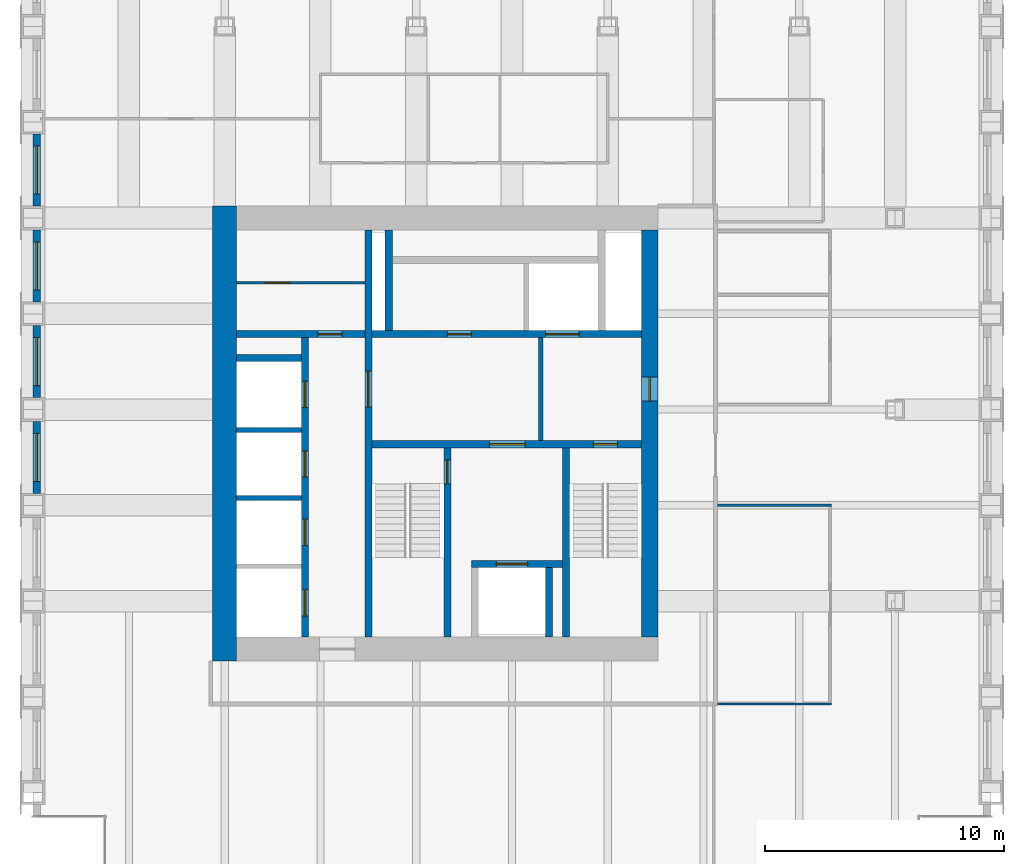
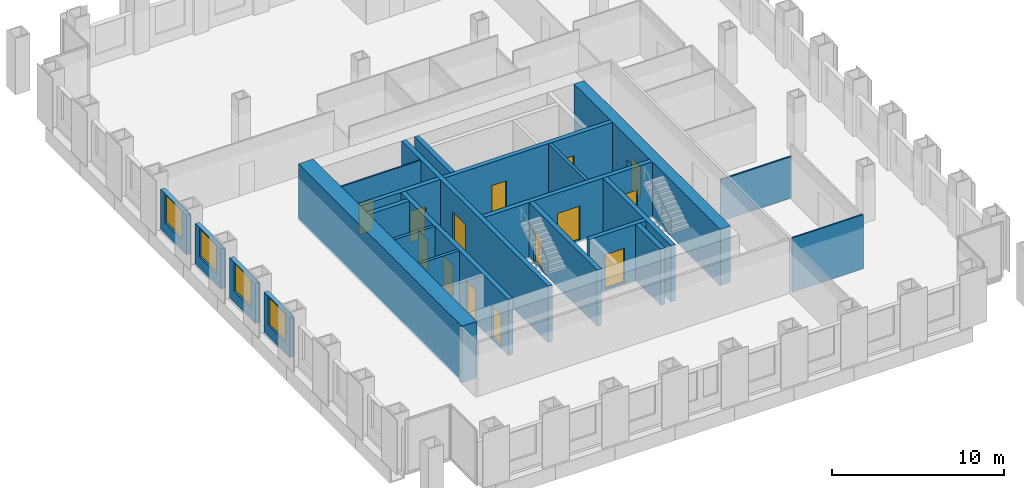
# One storey, part 9 of 13: 23 walls, 14 doors, 4 windows, 18 openings.
"""IFC4 building model written with IfcOpenShell, lengths in metres."""

import ifcopenshell
import ifcopenshell.guid

model = None  # the IFC model being written
_history = None  # IfcOwnerHistory: only IFC2X3 demands one
_inside = {}  # id of a spatial element -> (the spatial element, [elements in it])
_under = {}  # id of a project, library or spatial element -> (it, [spatial elements below it])
_declared = {}  # id of a project -> (the project, [libraries it declares])
_typed = {}  # id of a type object -> (the type object, [elements of that type])
_made_of = {}  # id of a material, layer set ... -> (it, [elements and type objects made of it])


def new_model(schema):
    """Start an empty IFC model of exactly this schema.

    Asked for "IFC4X3", IfcOpenShell would pick the latest addendum, in which some entities
    have other attributes; the version numbers below select the first issue.
    IFC2X3 requires an IfcOwnerHistory on every rooted entity: one is made here for all.
    """
    global model, _history
    if schema == "IFC4X3":
        model = ifcopenshell.file(schema_version=(4, 3, 0, 0))
    else:
        model = ifcopenshell.file(schema=schema)
    _inside.clear()
    _under.clear()
    _declared.clear()
    _typed.clear()
    _made_of.clear()
    _history = None
    if model.schema == "IFC2X3":
        org = make("IfcOrganization", Name="unknown")
        user = make(
            "IfcPersonAndOrganization",
            ThePerson=make("IfcPerson", FamilyName="unknown"),
            TheOrganization=org,
        )
        app = make(
            "IfcApplication",
            ApplicationDeveloper=org,
            Version="unknown",
            ApplicationFullName="unknown",
            ApplicationIdentifier="unknown",
        )
        _history = make(
            "IfcOwnerHistory",
            OwningUser=user,
            OwningApplication=app,
            ChangeAction="ADDED",
            CreationDate=0,
        )
    return model


def make(cls, **values):
    """One entity of the class cls with the attributes given. An attribute that is None is left unset."""
    return model.create_entity(
        cls, **{name: value for name, value in values.items() if value is not None}
    )


def rooted(cls, **values):
    """An entity with a GlobalId (a new one), such as an element, a storey or a relation."""
    return make(cls, GlobalId=ifcopenshell.guid.new(), OwnerHistory=_history, **values)


def si_unit(unit_type, name, prefix=None):
    """IfcSIUnit, for example si_unit("LENGTHUNIT", "METRE", prefix="MILLI")."""
    return make("IfcSIUnit", UnitType=unit_type, Prefix=prefix, Name=name)


def assignment(units):
    """IfcUnitAssignment: the units of a project."""
    return None if units is None else make("IfcUnitAssignment", Units=units)


def point(xyz):
    """IfcCartesianPoint."""
    return None if xyz is None else make("IfcCartesianPoint", Coordinates=xyz)


def direction(xyz):
    """IfcDirection."""
    return None if xyz is None else make("IfcDirection", DirectionRatios=xyz)


def frame(location, z_axis=None, x_axis=None):
    """IfcAxis2Placement3D, a coordinate frame: its origin and axes. An axis left out is left unset."""
    return make(
        "IfcAxis2Placement3D",
        Location=point(location),
        Axis=direction(z_axis),
        RefDirection=direction(x_axis),
    )


def frame_2d(location, x_axis=None):
    """IfcAxis2Placement2D, a coordinate frame in the plane: its origin and x axis."""
    return make(
        "IfcAxis2Placement2D", Location=point(location), RefDirection=direction(x_axis)
    )


def origin():
    """The frame at (0, 0, 0) with its axes left unset."""
    return frame((0.0, 0.0, 0.0))


def place(relative_to, where):
    """IfcLocalPlacement: puts the frame where relative to a parent placement (None: the world)."""
    return make(
        "IfcLocalPlacement", PlacementRelTo=relative_to, RelativePlacement=where
    )


def context(
    kind, dimensions, precision=None, world=None, true_north=None, identifier=None
):
    """IfcGeometricRepresentationContext, for example the 3D "Model" context."""
    return make(
        "IfcGeometricRepresentationContext",
        ContextIdentifier=identifier,
        ContextType=kind,
        CoordinateSpaceDimension=dimensions,
        Precision=precision,
        WorldCoordinateSystem=world,
        TrueNorth=true_north,
    )


def subcontext(parent, identifier, kind, view, scale=None):
    """IfcGeometricRepresentationSubContext, for example "Body" below "Model"."""
    return make(
        "IfcGeometricRepresentationSubContext",
        ContextIdentifier=identifier,
        ContextType=kind,
        ParentContext=parent,
        TargetScale=scale,
        TargetView=view,
    )


def project(units=None, contexts=None):
    """IfcProject with its units and contexts."""
    return rooted(
        "IfcProject",
        Name="project",
        RepresentationContexts=contexts,
        UnitsInContext=assignment(units),
    )


def spatial(cls, under=None, at=None, **own):
    """A site, building, storey or space (cls), placed at a placement, below another one or the project."""
    s = rooted(cls, ObjectPlacement=at, **own)
    if under is not None:
        _under.setdefault(under.id(), (under, []))[1].append(s)
    return s


def profile(cls, at=None, kind="AREA", **sizes):
    """A parametric profile (cls). Its sizes go by their IFC names, for example OverallWidth=200.0."""
    return make(cls, ProfileType=kind, Position=at, **sizes)


def rectangle(**sizes):
    """IfcRectangleProfileDef."""
    return profile("IfcRectangleProfileDef", **sizes)


def extrude(swept, where, along, depth):
    """IfcExtrudedAreaSolid: the profile swept, set in the frame where, extruded along a direction by depth."""
    return make(
        "IfcExtrudedAreaSolid",
        SweptArea=swept,
        Position=where,
        ExtrudedDirection=direction(along),
        Depth=depth,
    )


def shape(context_of_items, identifier, shape_type, items):
    """IfcShapeRepresentation: the items that make up one representation, for example the "Body"."""
    return make(
        "IfcShapeRepresentation",
        ContextOfItems=context_of_items,
        RepresentationIdentifier=identifier,
        RepresentationType=shape_type,
        Items=items,
    )


def material(Name=None, Category=None):
    """IfcMaterial."""
    return make("IfcMaterial", Name=Name, Category=Category)


def layer(
    of_material, thickness, ventilated=None, Name=None, Category=None, Priority=None
):
    """IfcMaterialLayer: one layer of a wall or slab, of a material (None: an air gap)."""
    return make(
        "IfcMaterialLayer",
        Material=of_material,
        LayerThickness=thickness,
        IsVentilated=ventilated,
        Name=Name,
        Category=Category,
        Priority=Priority,
    )


def layer_set(layers, Name=None):
    """IfcMaterialLayerSet."""
    return make("IfcMaterialLayerSet", MaterialLayers=layers, LayerSetName=Name)


def made_of(thing, what):
    """Note that an element or type object is made of a material, layer set ...; save() writes the relation."""
    if what is not None:
        _made_of.setdefault(what.id(), (what, []))[1].append(thing)
    return thing


def type_object(cls, material=None, **own):
    """A type object (cls), such as IfcWallType, which elements share."""
    return made_of(rooted(cls, **own), material)


def element(
    cls,
    number,
    at=None,
    inside=None,
    cuts=None,
    type_object=None,
    material=None,
    context=None,
    identifier="Body",
    shape_type=None,
    held_by="IfcProductDefinitionShape",
    body=None,
    shapes=None,
    **own,
):
    """One element of the class cls, such as IfcWall. Its Tag is "e" and its number.

    at: its placement. inside: the storey or other place that contains it. cuts: it is an
    opening in that element (IfcRelVoidsElement). A single representation is given by context,
    identifier, shape_type and body (its items); several are given by shapes. held_by: the class
    of the entity that holds the representations. save() writes the other relations.
    """
    e = rooted(cls, Tag="e%d" % number, ObjectPlacement=at, **own)
    if body is not None:
        shapes = [shape(context, identifier, shape_type, body)]
    if shapes is not None:
        e.Representation = make(held_by, Representations=shapes)
    if inside is not None:
        _inside.setdefault(inside.id(), (inside, []))[1].append(e)
    if cuts is not None:
        rooted(
            "IfcRelVoidsElement", RelatingBuildingElement=cuts, RelatedOpeningElement=e
        )
    if type_object is not None:
        _typed.setdefault(type_object.id(), (type_object, []))[1].append(e)
    return made_of(e, material)


def fill(opening, filler):
    """IfcRelFillsElement: the door or window that sits in an opening."""
    return rooted(
        "IfcRelFillsElement",
        RelatingOpeningElement=opening,
        RelatedBuildingElement=filler,
    )


def aggregate(whole, parts):
    """IfcRelAggregates: a whole, such as a stair, and the parts it consists of."""
    return rooted("IfcRelAggregates", RelatingObject=whole, RelatedObjects=parts)


def save(model, path):
    """Write the relations noted so far, then the file.

    IfcRelAggregates (storeys below a building ...), IfcRelContainedInSpatialStructure (elements
    in a storey), IfcRelDefinesByType, IfcRelAssociatesMaterial and IfcRelDeclares: one each for
    every whole, place, type object, material and project.
    """
    for whole, parts in _under.values():
        aggregate(whole, parts)
    for where, things in _inside.values():
        rooted(
            "IfcRelContainedInSpatialStructure",
            RelatedElements=things,
            RelatingStructure=where,
        )
    for kind, things in _typed.values():
        rooted("IfcRelDefinesByType", RelatedObjects=things, RelatingType=kind)
    for what, things in _made_of.values():
        rooted("IfcRelAssociatesMaterial", RelatedObjects=things, RelatingMaterial=what)
    for by, libraries in _declared.values():
        rooted("IfcRelDeclares", RelatingContext=by, RelatedDefinitions=libraries)
    model.write(path)


model = new_model("IFC4")

# Units and contexts
model_context = context("Model", 3, precision=1e-05, world=origin(), true_north=direction((0.0, 1.0)))
body_context = subcontext(model_context, "Body", "Model", "MODEL_VIEW")
ifc_project = project(units=[si_unit("LENGTHUNIT", "METRE"), si_unit("AREAUNIT", "SQUARE_METRE"), si_unit("VOLUMEUNIT", "CUBIC_METRE"), si_unit("PLANEANGLEUNIT", "RADIAN"), si_unit("MASSUNIT", "GRAM", prefix="KILO")], contexts=[model_context])

# Site, building, storey
site_placement = place(None, origin())
site = spatial("IfcSite", under=ifc_project, at=site_placement, CompositionType="ELEMENT")
building_placement = place(site_placement, origin())
building = spatial("IfcBuilding", under=site, at=building_placement, Name="Rimbunsela Tower", CompositionType="ELEMENT")
storey_placement = place(building_placement, frame((0.0, 0.0, 218.199951171875)))
storey = spatial("IfcBuildingStorey", under=building, at=storey_placement, Name="L52", CompositionType="ELEMENT", Elevation=218.199951171875)

# Wall, opening, door
ifc_material_1 = material(Name="Concrete fc' 80 MPa", Category="concrete")
ifc_layer_1 = layer(ifc_material_1, 0.300048828125)
ifc_layer_set_1 = layer_set([ifc_layer_1], Name="Core internal wall 300")
wall_type_1 = type_object("IfcWallType", Name="Core internal wall 300", PredefinedType="SHEAR", material=ifc_layer_set_1)
wall_1_placement = place(storey_placement, frame((24.0, 18.5, -0.14990234375), z_axis=(0.0, 0.0, 1.0), x_axis=(0.0, 1.0, 0.0)))
wall_1 = element("IfcWall", 1, at=wall_1_placement, inside=storey, type_object=wall_type_1, Name="Core wall at stair A", PredefinedType="SHEAR", context=body_context, shape_type="SweptSolid", body=[
    extrude(rectangle(XDim=17.0, YDim=0.300048828125, at=frame_2d((8.5, 0.0))), origin(), (0.0, 0.0, 1.0), 4.0),
])
opening_1_placement = place(wall_1_placement, frame((9.60009765625, 0.0, 0.14990234375)))
opening_1 = element("IfcOpeningElement", 2, at=opening_1_placement, cuts=wall_1, Name="Opening D03", PredefinedType="OPENING", context=body_context, shape_type="SweptSolid", body=[
    extrude(rectangle(XDim=1.5, YDim=2.39990234375, at=frame_2d((0.75, 1.199951171875))), frame((0.0, 0.159912109375, 0.0), z_axis=(0.0, -1.0, 0.0), x_axis=(1.0, 0.0, 0.0)), (0.0, 0.0, 1.0), 0.320068359375),
])
ifc_material_2 = material(Name="Steel door, fire rated", Category="steel")
door_type_1 = type_object("IfcDoorType", Name="Core lobby door 1500", OperationType="DOUBLE_DOOR_DOUBLE_SWING", PredefinedType="DOOR", material=ifc_material_2)
door_1_placement = place(opening_1_placement, origin())
door_1 = element("IfcDoor", 3, at=door_1_placement, inside=storey, type_object=door_type_1, Name="West lobby door", OperationType="DOUBLE_DOOR_DOUBLE_SWING", OverallHeight=2.39990234375, OverallWidth=1.5, PredefinedType="DOOR", context=body_context, shape_type="SweptSolid", body=[
    extrude(rectangle(XDim=1.5, YDim=2.39990234375, at=frame_2d((0.75, 1.199951171875))), frame((0.0, 0.02490234375, 0.0), z_axis=(0.0, -1.0, 0.0), x_axis=(1.0, 0.0, 0.0)), (0.0, 0.0, 1.0), 0.050048828125),
])
fill(opening_1, door_1)

# Wall, openings, doors
wall_2_placement = place(storey_placement, frame((24.14990234375, 26.550048828125, -0.14990234375), z_axis=(0.0, 0.0, 1.0), x_axis=(1.0, 0.0, 0.0)))
wall_2 = element("IfcWall", 4, at=wall_2_placement, inside=storey, type_object=wall_type_1, Name="Core wall lobby south", PredefinedType="SHEAR", context=body_context, shape_type="SweptSolid", body=[
    extrude(rectangle(XDim=11.25, YDim=0.300048828125, at=frame_2d((5.625, 0.0))), origin(), (0.0, 0.0, 1.0), 4.0),
])
opening_2_placement = place(wall_2_placement, frame((9.25, 0.0, 0.14990234375)))
opening_2 = element("IfcOpeningElement", 5, at=opening_2_placement, cuts=wall_2, Name="Opening D01", PredefinedType="OPENING", context=body_context, shape_type="SweptSolid", body=[
    extrude(rectangle(XDim=1.0, YDim=2.199951171875, at=frame_2d((0.5, 1.10009765625))), frame((0.0, 0.159912109375, 0.0), z_axis=(0.0, -1.0, 0.0), x_axis=(1.0, 0.0, 0.0)), (0.0, 0.0, 1.0), 0.320068359375),
])
opening_3_placement = place(wall_2_placement, frame((4.89990234375, 0.0, 0.14990234375)))
opening_3 = element("IfcOpeningElement", 6, at=opening_3_placement, cuts=wall_2, Name="Opening D03", PredefinedType="OPENING", context=body_context, shape_type="SweptSolid", body=[
    extrude(rectangle(XDim=1.5, YDim=2.39990234375, at=frame_2d((0.75, 1.199951171875))), frame((0.0, 0.159912109375, 0.0), z_axis=(0.0, -1.0, 0.0), x_axis=(1.0, 0.0, 0.0)), (0.0, 0.0, 1.0), 0.320068359375),
])
door_2_placement = place(opening_3_placement, origin())
door_2 = element("IfcDoor", 7, at=door_2_placement, inside=storey, type_object=door_type_1, Name="Firefighting lobby door", OperationType="DOUBLE_DOOR_DOUBLE_SWING", OverallHeight=2.39990234375, OverallWidth=1.5, PredefinedType="DOOR", context=body_context, shape_type="SweptSolid", body=[
    extrude(rectangle(XDim=1.5, YDim=2.39990234375, at=frame_2d((0.75, 1.199951171875))), frame((0.0, 0.02490234375, 0.0), z_axis=(0.0, -1.0, 0.0), x_axis=(1.0, 0.0, 0.0)), (0.0, 0.0, 1.0), 0.050048828125),
])
fill(opening_3, door_2)
ifc_material_3 = material(Name="Steel door, fire rated", Category="steel")
door_type_2 = type_object("IfcDoorType", Name="Stair door 1000", OperationType="SINGLE_SWING_RIGHT", PredefinedType="DOOR", material=ifc_material_3)
door_3_placement = place(opening_2_placement, frame((1.0, 0.0, 0.0), z_axis=(0.0, 0.0, 1.0), x_axis=(-1.0, 0.0, 0.0)))
door_3 = element("IfcDoor", 8, at=door_3_placement, inside=storey, type_object=door_type_2, Name="Stair B door", OperationType="SINGLE_SWING_RIGHT", OverallHeight=2.199951171875, OverallWidth=1.0, PredefinedType="DOOR", context=body_context, shape_type="SweptSolid", body=[
    extrude(rectangle(XDim=1.0, YDim=2.199951171875, at=frame_2d((0.5, 1.10009765625))), frame((0.0, 0.02490234375, 0.0), z_axis=(0.0, -1.0, 0.0), x_axis=(1.0, 0.0, 0.0)), (0.0, 0.0, 1.0), 0.050048828125),
])
fill(opening_2, door_3)

# Wall, opening, door
wall_3_placement = place(storey_placement, frame((27.300048828125, 18.5, -0.14990234375), z_axis=(0.0, 0.0, 1.0), x_axis=(0.0, 1.0, 0.0)))
wall_3 = element("IfcWall", 9, at=wall_3_placement, inside=storey, type_object=wall_type_1, Name="Stair A enclosure", PredefinedType="SHEAR", context=body_context, shape_type="SweptSolid", body=[
    extrude(rectangle(XDim=7.89990234375, YDim=0.300048828125, at=frame_2d((3.949951171875, 0.0))), origin(), (0.0, 0.0, 1.0), 4.0),
])
opening_4_placement = place(wall_3_placement, frame((6.39990234375, 0.0, 0.14990234375)))
opening_4 = element("IfcOpeningElement", 10, at=opening_4_placement, cuts=wall_3, Name="Opening D01", PredefinedType="OPENING", context=body_context, shape_type="SweptSolid", body=[
    extrude(rectangle(XDim=1.0, YDim=2.199951171875, at=frame_2d((0.5, 1.10009765625))), frame((0.0, 0.159912109375, 0.0), z_axis=(0.0, -1.0, 0.0), x_axis=(1.0, 0.0, 0.0)), (0.0, 0.0, 1.0), 0.320068359375),
])
door_4_placement = place(opening_4_placement, origin())
door_4 = element("IfcDoor", 11, at=door_4_placement, inside=storey, type_object=door_type_2, Name="Stair A door", OperationType="SINGLE_SWING_RIGHT", OverallHeight=2.199951171875, OverallWidth=1.0, PredefinedType="DOOR", context=body_context, shape_type="SweptSolid", body=[
    extrude(rectangle(XDim=1.0, YDim=2.199951171875, at=frame_2d((0.5, 1.10009765625))), frame((0.0, 0.02490234375, 0.0), z_axis=(0.0, -1.0, 0.0), x_axis=(1.0, 0.0, 0.0)), (0.0, 0.0, 1.0), 0.050048828125),
])
fill(opening_4, door_4)

# Walls
wall_4_placement = place(storey_placement, frame((32.25, 18.5, -0.14990234375), z_axis=(0.0, 0.0, 1.0), x_axis=(0.0, 1.0, 0.0)))
element("IfcWall", 12, at=wall_4_placement, inside=storey, type_object=wall_type_1, Name="Stair B enclosure", PredefinedType="SHEAR", context=body_context, shape_type="SweptSolid", body=[
    extrude(rectangle(XDim=7.89990234375, YDim=0.300048828125, at=frame_2d((3.949951171875, 0.0))), origin(), (0.0, 0.0, 1.0), 4.0),
])
wall_5_placement = place(storey_placement, frame((31.550048828125, 18.5, -0.14990234375), z_axis=(0.0, 0.0, 1.0), x_axis=(0.0, 1.0, 0.0)))
element("IfcWall", 13, at=wall_5_placement, inside=storey, type_object=wall_type_1, Name="Firefighting lift shaft east", PredefinedType="SHEAR", context=body_context, shape_type="SweptSolid", body=[
    extrude(rectangle(XDim=2.89990234375, YDim=0.300048828125, at=frame_2d((1.449951171875, 0.0))), origin(), (0.0, 0.0, 1.0), 4.0),
])

# Wall, opening, door
wall_6_placement = place(storey_placement, frame((28.300048828125, 21.550048828125, -0.14990234375), z_axis=(0.0, 0.0, 1.0), x_axis=(1.0, 0.0, 0.0)))
wall_6 = element("IfcWall", 14, at=wall_6_placement, inside=storey, type_object=wall_type_1, Name="Firefighting lift shaft front", PredefinedType="SHEAR", context=body_context, shape_type="SweptSolid", body=[
    extrude(rectangle(XDim=3.800048828125, YDim=0.300048828125, at=frame_2d((1.89990234375, 0.0))), origin(), (0.0, 0.0, 1.0), 4.0),
])
opening_5_placement = place(wall_6_placement, frame((1.050048828125, 0.0, 0.14990234375)))
opening_5 = element("IfcOpeningElement", 15, at=opening_5_placement, cuts=wall_6, Name="Opening LD2", PredefinedType="OPENING", context=body_context, shape_type="SweptSolid", body=[
    extrude(rectangle(XDim=1.300048828125, YDim=2.39990234375, at=frame_2d((0.64990234375, 1.199951171875))), frame((0.0, 0.159912109375, 0.0), z_axis=(0.0, -1.0, 0.0), x_axis=(1.0, 0.0, 0.0)), (0.0, 0.0, 1.0), 0.320068359375),
])
ifc_material_4 = material(Name="Steel door, fire rated", Category="steel")
door_type_3 = type_object("IfcDoorType", Name="Lift landing door 1300", OperationType="DOUBLE_DOOR_SLIDING", PredefinedType="DOOR", material=ifc_material_4)
door_5_placement = place(opening_5_placement, origin())
door_5 = element("IfcDoor", 16, at=door_5_placement, inside=storey, type_object=door_type_3, Name="Lift landing door FL1", OperationType="DOUBLE_DOOR_SLIDING", OverallHeight=2.39990234375, OverallWidth=1.300048828125, PredefinedType="DOOR", context=body_context, shape_type="SweptSolid", body=[
    extrude(rectangle(XDim=1.300048828125, YDim=2.39990234375, at=frame_2d((0.64990234375, 1.199951171875))), frame((0.0, 0.02490234375, 0.0), z_axis=(0.0, -1.0, 0.0), x_axis=(1.0, 0.0, 0.0)), (0.0, 0.0, 1.0), 0.050048828125),
])
fill(opening_5, door_5)

# Wall, openings, doors
wall_7_placement = place(storey_placement, frame((24.14990234375, 31.14990234375, -0.14990234375), z_axis=(0.0, 0.0, 1.0), x_axis=(1.0, 0.0, 0.0)))
wall_7 = element("IfcWall", 17, at=wall_7_placement, inside=storey, type_object=wall_type_1, Name="Lift shaft front north", PredefinedType="SHEAR", context=body_context, shape_type="SweptSolid", body=[
    extrude(rectangle(XDim=11.25, YDim=0.300048828125, at=frame_2d((5.625, 0.0))), origin(), (0.0, 0.0, 1.0), 4.0),
])
opening_6_placement = place(wall_7_placement, frame((3.14990234375, 0.0, 0.14990234375)))
opening_6 = element("IfcOpeningElement", 18, at=opening_6_placement, cuts=wall_7, Name="Opening D19", PredefinedType="OPENING", context=body_context, shape_type="SweptSolid", body=[
    extrude(rectangle(XDim=1.0, YDim=2.199951171875, at=frame_2d((0.5, 1.10009765625))), frame((0.0, 0.159912109375, 0.0), z_axis=(0.0, -1.0, 0.0), x_axis=(1.0, 0.0, 0.0)), (0.0, 0.0, 1.0), 0.320068359375),
])
opening_7_placement = place(wall_7_placement, frame((7.25, 0.0, 0.14990234375)))
opening_7 = element("IfcOpeningElement", 19, at=opening_7_placement, cuts=wall_7, Name="Opening LD3", PredefinedType="OPENING", context=body_context, shape_type="SweptSolid", body=[
    extrude(rectangle(XDim=1.39990234375, YDim=2.39990234375, at=frame_2d((0.699951171875, 1.199951171875))), frame((0.0, 0.159912109375, 0.0), z_axis=(0.0, -1.0, 0.0), x_axis=(1.0, 0.0, 0.0)), (0.0, 0.0, 1.0), 0.320068359375),
])
ifc_material_5 = material(Name="Steel door, fire rated", Category="steel")
door_type_4 = type_object("IfcDoorType", Name="Lift landing door 1400", OperationType="DOUBLE_DOOR_SLIDING", PredefinedType="DOOR", material=ifc_material_5)
door_6_placement = place(opening_7_placement, origin())
door_6 = element("IfcDoor", 20, at=door_6_placement, inside=storey, type_object=door_type_4, Name="Lift landing door FL2", OperationType="DOUBLE_DOOR_SLIDING", OverallHeight=2.39990234375, OverallWidth=1.39990234375, PredefinedType="DOOR", context=body_context, shape_type="SweptSolid", body=[
    extrude(rectangle(XDim=1.39990234375, YDim=2.39990234375, at=frame_2d((0.699951171875, 1.199951171875))), frame((0.0, 0.02490234375, 0.0), z_axis=(0.0, -1.0, 0.0), x_axis=(1.0, 0.0, 0.0)), (0.0, 0.0, 1.0), 0.050048828125),
])
fill(opening_7, door_6)
ifc_material_6 = material(Name="Steel door, fire rated", Category="steel")
door_type_5 = type_object("IfcDoorType", Name="Service door 1000 fire rated", OperationType="SINGLE_SWING_LEFT", PredefinedType="DOOR", material=ifc_material_6)
door_7_placement = place(opening_6_placement, origin())
door_7 = element("IfcDoor", 21, at=door_7_placement, inside=storey, type_object=door_type_5, Name="Equipment store door", OperationType="SINGLE_SWING_LEFT", OverallHeight=2.199951171875, OverallWidth=1.0, PredefinedType="DOOR", context=body_context, shape_type="SweptSolid", body=[
    extrude(rectangle(XDim=1.0, YDim=2.199951171875, at=frame_2d((0.5, 1.10009765625))), frame((0.0, 0.02490234375, 0.0), z_axis=(0.0, -1.0, 0.0), x_axis=(1.0, 0.0, 0.0)), (0.0, 0.0, 1.0), 0.050048828125),
])
fill(opening_6, door_7)

wall_8_placement = place(storey_placement, frame((21.35009765625, 18.5, -0.14990234375), z_axis=(0.0, 0.0, 1.0), x_axis=(0.0, 1.0, 0.0)))
wall_8 = element("IfcWall", 22, at=wall_8_placement, inside=storey, type_object=wall_type_1, Name="Lift shaft front west", PredefinedType="SHEAR", context=body_context, shape_type="SweptSolid", body=[
    extrude(rectangle(XDim=12.5, YDim=0.300048828125, at=frame_2d((6.25, 0.0))), origin(), (0.0, 0.0, 1.0), 4.0),
])
opening_8_placement = place(wall_8_placement, frame((0.875, 0.0, 0.14990234375)))
opening_8 = element("IfcOpeningElement", 23, at=opening_8_placement, cuts=wall_8, Name="Opening LD1", PredefinedType="OPENING", context=body_context, shape_type="SweptSolid", body=[
    extrude(rectangle(XDim=1.10009765625, YDim=2.199951171875, at=frame_2d((0.550048828125, 1.10009765625))), frame((0.0, 0.159912109375, 0.0), z_axis=(0.0, -1.0, 0.0), x_axis=(1.0, 0.0, 0.0)), (0.0, 0.0, 1.0), 0.320068359375),
])
opening_9_placement = place(wall_8_placement, frame((3.824951171875, 0.0, 0.14990234375)))
opening_9 = element("IfcOpeningElement", 24, at=opening_9_placement, cuts=wall_8, Name="Opening LD1", PredefinedType="OPENING", context=body_context, shape_type="SweptSolid", body=[
    extrude(rectangle(XDim=1.10009765625, YDim=2.199951171875, at=frame_2d((0.550048828125, 1.10009765625))), frame((0.0, 0.159912109375, 0.0), z_axis=(0.0, -1.0, 0.0), x_axis=(1.0, 0.0, 0.0)), (0.0, 0.0, 1.0), 0.320068359375),
])
opening_10_placement = place(wall_8_placement, frame((6.675048828125, 0.0, 0.14990234375)))
opening_10 = element("IfcOpeningElement", 25, at=opening_10_placement, cuts=wall_8, Name="Opening LD1", PredefinedType="OPENING", context=body_context, shape_type="SweptSolid", body=[
    extrude(rectangle(XDim=1.10009765625, YDim=2.199951171875, at=frame_2d((0.550048828125, 1.10009765625))), frame((0.0, 0.159912109375, 0.0), z_axis=(0.0, -1.0, 0.0), x_axis=(1.0, 0.0, 0.0)), (0.0, 0.0, 1.0), 0.320068359375),
])
opening_11_placement = place(wall_8_placement, frame((9.574951171875, 0.0, 0.14990234375)))
opening_11 = element("IfcOpeningElement", 26, at=opening_11_placement, cuts=wall_8, Name="Opening LD1", PredefinedType="OPENING", context=body_context, shape_type="SweptSolid", body=[
    extrude(rectangle(XDim=1.10009765625, YDim=2.199951171875, at=frame_2d((0.550048828125, 1.10009765625))), frame((0.0, 0.159912109375, 0.0), z_axis=(0.0, -1.0, 0.0), x_axis=(1.0, 0.0, 0.0)), (0.0, 0.0, 1.0), 0.320068359375),
])
ifc_material_7 = material(Name="Steel door, fire rated", Category="steel")
door_type_6 = type_object("IfcDoorType", Name="Lift landing door 1100", OperationType="DOUBLE_DOOR_SLIDING", PredefinedType="DOOR", material=ifc_material_7)
door_8_placement = place(opening_8_placement, origin())
door_8 = element("IfcDoor", 27, at=door_8_placement, inside=storey, type_object=door_type_6, Name="Lift landing door TL1", OperationType="DOUBLE_DOOR_SLIDING", OverallHeight=2.199951171875, OverallWidth=1.10009765625, PredefinedType="DOOR", context=body_context, shape_type="SweptSolid", body=[
    extrude(rectangle(XDim=1.10009765625, YDim=2.199951171875, at=frame_2d((0.550048828125, 1.10009765625))), frame((0.0, 0.02490234375, 0.0), z_axis=(0.0, -1.0, 0.0), x_axis=(1.0, 0.0, 0.0)), (0.0, 0.0, 1.0), 0.050048828125),
])
fill(opening_8, door_8)
door_9_placement = place(opening_9_placement, origin())
door_9 = element("IfcDoor", 28, at=door_9_placement, inside=storey, type_object=door_type_6, Name="Lift landing door TL2", OperationType="DOUBLE_DOOR_SLIDING", OverallHeight=2.199951171875, OverallWidth=1.10009765625, PredefinedType="DOOR", context=body_context, shape_type="SweptSolid", body=[
    extrude(rectangle(XDim=1.10009765625, YDim=2.199951171875, at=frame_2d((0.550048828125, 1.10009765625))), frame((0.0, 0.02490234375, 0.0), z_axis=(0.0, -1.0, 0.0), x_axis=(1.0, 0.0, 0.0)), (0.0, 0.0, 1.0), 0.050048828125),
])
fill(opening_9, door_9)
door_10_placement = place(opening_10_placement, origin())
door_10 = element("IfcDoor", 29, at=door_10_placement, inside=storey, type_object=door_type_6, Name="Lift landing door TL3", OperationType="DOUBLE_DOOR_SLIDING", OverallHeight=2.199951171875, OverallWidth=1.10009765625, PredefinedType="DOOR", context=body_context, shape_type="SweptSolid", body=[
    extrude(rectangle(XDim=1.10009765625, YDim=2.199951171875, at=frame_2d((0.550048828125, 1.10009765625))), frame((0.0, 0.02490234375, 0.0), z_axis=(0.0, -1.0, 0.0), x_axis=(1.0, 0.0, 0.0)), (0.0, 0.0, 1.0), 0.050048828125),
])
fill(opening_10, door_10)
door_11_placement = place(opening_11_placement, origin())
door_11 = element("IfcDoor", 30, at=door_11_placement, inside=storey, type_object=door_type_6, Name="Lift landing door TL4", OperationType="DOUBLE_DOOR_SLIDING", OverallHeight=2.199951171875, OverallWidth=1.10009765625, PredefinedType="DOOR", context=body_context, shape_type="SweptSolid", body=[
    extrude(rectangle(XDim=1.10009765625, YDim=2.199951171875, at=frame_2d((0.550048828125, 1.10009765625))), frame((0.0, 0.02490234375, 0.0), z_axis=(0.0, -1.0, 0.0), x_axis=(1.0, 0.0, 0.0)), (0.0, 0.0, 1.0), 0.050048828125),
])
fill(opening_11, door_11)

# Wall, opening, door
wall_9_placement = place(storey_placement, frame((18.5, 31.14990234375, -0.14990234375), z_axis=(0.0, 0.0, 1.0), x_axis=(1.0, 0.0, 0.0)))
wall_9 = element("IfcWall", 31, at=wall_9_placement, inside=storey, type_object=wall_type_1, Name="Store wall", PredefinedType="SHEAR", context=body_context, shape_type="SweptSolid", body=[
    extrude(rectangle(XDim=5.35009765625, YDim=0.300048828125, at=frame_2d((2.675048828125, 0.0))), origin(), (0.0, 0.0, 1.0), 4.0),
])
opening_12_placement = place(wall_9_placement, frame((3.39990234375, 0.0, 0.14990234375)))
opening_12 = element("IfcOpeningElement", 32, at=opening_12_placement, cuts=wall_9, Name="Opening D19", PredefinedType="OPENING", context=body_context, shape_type="SweptSolid", body=[
    extrude(rectangle(XDim=1.0, YDim=2.199951171875, at=frame_2d((0.5, 1.10009765625))), frame((0.0, 0.159912109375, 0.0), z_axis=(0.0, -1.0, 0.0), x_axis=(1.0, 0.0, 0.0)), (0.0, 0.0, 1.0), 0.320068359375),
])
door_12_placement = place(opening_12_placement, origin())
door_12 = element("IfcDoor", 33, at=door_12_placement, inside=storey, type_object=door_type_5, Name="Facilities store door", OperationType="SINGLE_SWING_LEFT", OverallHeight=2.199951171875, OverallWidth=1.0, PredefinedType="DOOR", context=body_context, shape_type="SweptSolid", body=[
    extrude(rectangle(XDim=1.0, YDim=2.199951171875, at=frame_2d((0.5, 1.10009765625))), frame((0.0, 0.02490234375, 0.0), z_axis=(0.0, -1.0, 0.0), x_axis=(1.0, 0.0, 0.0)), (0.0, 0.0, 1.0), 0.050048828125),
])
fill(opening_12, door_12)

# Walls
wall_10_placement = place(storey_placement, frame((18.5, 30.14990234375, -0.14990234375), z_axis=(0.0, 0.0, 1.0), x_axis=(1.0, 0.0, 0.0)))
element("IfcWall", 34, at=wall_10_placement, inside=storey, type_object=wall_type_1, Name="Lift shaft rear west", PredefinedType="SHEAR", context=body_context, shape_type="SweptSolid", body=[
    extrude(rectangle(XDim=2.699951171875, YDim=0.300048828125, at=frame_2d((1.35009765625, 0.0))), origin(), (0.0, 0.0, 1.0), 4.0),
])
wall_11_placement = place(storey_placement, frame((24.85009765625, 31.300048828125, -0.14990234375), z_axis=(0.0, 0.0, 1.0), x_axis=(0.0, 1.0, 0.0)))
element("IfcWall", 35, at=wall_11_placement, inside=storey, type_object=wall_type_1, Name="Riser wall", PredefinedType="SHEAR", context=body_context, shape_type="SweptSolid", body=[
    extrude(rectangle(XDim=4.199951171875, YDim=0.300048828125, at=frame_2d((2.10009765625, 0.0))), origin(), (0.0, 0.0, 1.0), 4.0),
])

# Wall, opening, door
ifc_material_8 = material(Name="Concrete blockwork", Category="masonry")
ifc_layer_2 = layer(ifc_material_8, 0.10009765625)
ifc_layer_set_2 = layer_set([ifc_layer_2], Name="Core room partition 100")
wall_type_2 = type_object("IfcWallType", Name="Core room partition 100", PredefinedType="PARTITIONING", material=ifc_layer_set_2)
wall_12_placement = place(storey_placement, frame((18.5, 33.300048828125, 0.0), z_axis=(0.0, 0.0, 1.0), x_axis=(1.0, 0.0, 0.0)))
wall_12 = element("IfcWall", 36, at=wall_12_placement, inside=storey, type_object=wall_type_2, Name="Tenant store wall", PredefinedType="PARTITIONING", context=body_context, shape_type="SweptSolid", body=[
    extrude(rectangle(XDim=5.35009765625, YDim=0.10009765625, at=frame_2d((2.675048828125, 0.0))), origin(), (0.0, 0.0, 1.0), 3.85009765625),
])
opening_13_placement = place(wall_12_placement, frame((1.199951171875, 0.0, 0.0)))
opening_13 = element("IfcOpeningElement", 37, at=opening_13_placement, cuts=wall_12, Name="Opening D19", PredefinedType="OPENING", context=body_context, shape_type="SweptSolid", body=[
    extrude(rectangle(XDim=1.0, YDim=2.199951171875, at=frame_2d((0.5, 1.10009765625))), frame((0.0, 0.06005859375, 0.0), z_axis=(0.0, -1.0, 0.0), x_axis=(1.0, 0.0, 0.0)), (0.0, 0.0, 1.0), 0.1201171875),
])
door_13_placement = place(opening_13_placement, origin())
door_13 = element("IfcDoor", 38, at=door_13_placement, inside=storey, type_object=door_type_5, Name="Tenant store door", OperationType="SINGLE_SWING_LEFT", OverallHeight=2.199951171875, OverallWidth=1.0, PredefinedType="DOOR", context=body_context, shape_type="SweptSolid", body=[
    extrude(rectangle(XDim=1.0, YDim=2.199951171875, at=frame_2d((0.5, 1.10009765625))), frame((0.0, 0.02490234375, 0.0), z_axis=(0.0, -1.0, 0.0), x_axis=(1.0, 0.0, 0.0)), (0.0, 0.0, 1.0), 0.050048828125),
])
fill(opening_13, door_13)

# Wall
ifc_material_9 = material(Name="Concrete fc' 80 MPa", Category="concrete")
ifc_layer_3 = layer(ifc_material_9, 1.0)
ifc_layer_set_3 = layer_set([ifc_layer_3], Name="Core wall 1000")
wall_type_3 = type_object("IfcWallType", Name="Core wall 1000", PredefinedType="SHEAR", material=ifc_layer_set_3)
wall_13_placement = place(storey_placement, frame((18.0, 17.5, -0.14990234375), z_axis=(0.0, 0.0, 1.0), x_axis=(0.0, 1.0, 0.0)))
element("IfcWall", 39, at=wall_13_placement, inside=storey, type_object=wall_type_3, Name="Core wall west", PredefinedType="SHEAR", context=body_context, shape_type="SweptSolid", body=[
    extrude(rectangle(XDim=19.0, YDim=1.0, at=frame_2d((9.5, 0.0))), origin(), (0.0, 0.0, 1.0), 4.0),
])

# Wall, opening, door
ifc_material_10 = material(Name="Concrete fc' 80 MPa", Category="concrete")
ifc_layer_4 = layer(ifc_material_10, 0.699951171875)
ifc_layer_set_4 = layer_set([ifc_layer_4], Name="Core wall 700 east")
wall_type_4 = type_object("IfcWallType", Name="Core wall 700 east", PredefinedType="SHEAR", material=ifc_layer_set_4)
wall_14_placement = place(storey_placement, frame((35.75, 18.5, -0.14990234375), z_axis=(0.0, 0.0, 1.0), x_axis=(0.0, 1.0, 0.0)))
wall_14 = element("IfcWall", 40, at=wall_14_placement, inside=storey, type_object=wall_type_4, Name="Core wall east", PredefinedType="SHEAR", context=body_context, shape_type="SweptSolid", body=[
    extrude(rectangle(XDim=17.0, YDim=0.699951171875, at=frame_2d((8.5, 0.0))), origin(), (0.0, 0.0, 1.0), 4.0),
])
opening_14_placement = place(wall_14_placement, frame((9.85009765625, 0.0, 0.14990234375)))
opening_14 = element("IfcOpeningElement", 41, at=opening_14_placement, cuts=wall_14, Name="Opening D01", PredefinedType="OPENING", context=body_context, shape_type="SweptSolid", body=[
    extrude(rectangle(XDim=1.0, YDim=2.199951171875, at=frame_2d((0.5, 1.10009765625))), frame((0.0, 0.35986328125, 0.0), z_axis=(0.0, -1.0, 0.0), x_axis=(1.0, 0.0, 0.0)), (0.0, 0.0, 1.0), 0.719970703125),
])
door_14_placement = place(opening_14_placement, origin())
door_14 = element("IfcDoor", 42, at=door_14_placement, inside=storey, type_object=door_type_2, Name="Firefighting lobby 2 door", OperationType="SINGLE_SWING_RIGHT", OverallHeight=2.199951171875, OverallWidth=1.0, PredefinedType="DOOR", context=body_context, shape_type="SweptSolid", body=[
    extrude(rectangle(XDim=1.0, YDim=2.199951171875, at=frame_2d((0.5, 1.10009765625))), frame((0.0, 0.02490234375, 0.0), z_axis=(0.0, -1.0, 0.0), x_axis=(1.0, 0.0, 0.0)), (0.0, 0.0, 1.0), 0.050048828125),
])
fill(opening_14, door_14)

# Walls
ifc_material_11 = material(Name="Concrete blockwork", Category="masonry")
ifc_layer_5 = layer(ifc_material_11, 0.199951171875)
ifc_layer_set_5 = layer_set([ifc_layer_5], Name="Lift shaft wall 200")
wall_type_5 = type_object("IfcWallType", Name="Lift shaft wall 200", PredefinedType="SOLIDWALL", material=ifc_layer_set_5)
for number, where, z_axis, x_axis, name in (
    (43, (18.5, 24.300048828125, -0.14990234375), (0.0, 0.0, 1.0), (1.0, 0.0, 0.0), "Lift shaft separation"),
    (44, (18.5, 27.14990234375, -0.14990234375), (0.0, 0.0, 1.0), (1.0, 0.0, 0.0), "Lift shaft separation"),
):
    element("IfcWall", number, at=place(storey_placement, frame(where, z_axis=z_axis, x_axis=x_axis)), inside=storey, type_object=wall_type_5, Name=name, PredefinedType="SOLIDWALL", context=body_context, shape_type="SweptSolid", body=[
        extrude(rectangle(XDim=2.699951171875, YDim=0.199951171875, at=frame_2d((1.35009765625, 0.0))), origin(), (0.0, 0.0, 1.0), 4.0),
    ])
wall_15_placement = place(storey_placement, frame((31.199951171875, 26.699951171875, 0.0), z_axis=(0.0, 0.0, 1.0), x_axis=(0.0, 1.0, 0.0)))
element("IfcWall", 45, at=wall_15_placement, inside=storey, type_object=wall_type_5, Name="Firefighting lobby 2 wall", PredefinedType="SOLIDWALL", context=body_context, shape_type="SweptSolid", body=[
    extrude(rectangle(XDim=4.300048828125, YDim=0.199951171875, at=frame_2d((2.14990234375, 0.0))), origin(), (0.0, 0.0, 1.0), 3.85009765625),
])
ifc_material_12 = material(Name="Gypsum board on steel studs", Category="steel")
ifc_layer_6 = layer(ifc_material_12, 0.10009765625)
ifc_layer_set_6 = layer_set([ifc_layer_6], Name="Office partition 100")
wall_type_6 = type_object("IfcWallType", Name="Office partition 100", PredefinedType="PARTITIONING", material=ifc_layer_set_6)
wall_16_placement = place(storey_placement, frame((38.574951171875, 15.699951171875, 0.0), z_axis=(0.0, 0.0, 1.0), x_axis=(1.0, 0.0, 0.0)))
element("IfcWall", 46, at=wall_16_placement, inside=storey, type_object=wall_type_6, Name="Office partition", PredefinedType="PARTITIONING", context=body_context, shape_type="SweptSolid", body=[
    extrude(rectangle(XDim=4.775146484375, YDim=0.10009765625, at=frame_2d((2.3876953125, 0.0))), origin(), (0.0, 0.0, 1.0), 3.85009765625),
])
wall_17_placement = place(storey_placement, frame((38.574951171875, 24.0, 0.0), z_axis=(0.0, 0.0, 1.0), x_axis=(1.0, 0.0, 0.0)))
element("IfcWall", 47, at=wall_17_placement, inside=storey, type_object=wall_type_6, Name="Office partition", PredefinedType="PARTITIONING", context=body_context, shape_type="SweptSolid", body=[
    extrude(rectangle(XDim=4.775146484375, YDim=0.10009765625, at=frame_2d((2.3876953125, 0.0))), origin(), (0.0, 0.0, 1.0), 2.949951171875),
])

# Wall, opening, window
ifc_material_13 = material(Name="Precast concrete fc' 35 MPa", Category="concrete")
ifc_layer_7 = layer(ifc_material_13, 0.300048828125)
ifc_layer_set_7 = layer_set([ifc_layer_7], Name="Precast concrete fc' 35 MPa")
wall_type_7 = type_object("IfcWallType", Name="Precast facade panel 300", PredefinedType="ELEMENTEDWALL", material=ifc_layer_set_7)
wall_18_placement = place(storey_placement, frame((10.14990234375, 27.5, 0.0), z_axis=(0.0, 0.0, 1.0), x_axis=(0.0, -1.0, 0.0)))
wall_18 = element("IfcWall", 48, at=wall_18_placement, inside=storey, type_object=wall_type_7, Name="Facade panel W L52", PredefinedType="ELEMENTEDWALL", context=body_context, shape_type="SweptSolid", body=[
    extrude(rectangle(XDim=3.0, YDim=0.300048828125, at=frame_2d((1.5, 0.0))), origin(), (0.0, 0.0, 1.0), 2.85009765625),
])
opening_15_placement = place(wall_18_placement, frame((0.5, 0.0, 0.800048828125)))
opening_15 = element("IfcOpeningElement", 49, at=opening_15_placement, cuts=wall_18, Name="Opening W1", PredefinedType="OPENING", context=body_context, shape_type="SweptSolid", body=[
    extrude(rectangle(XDim=2.0, YDim=2.0, at=frame_2d((1.0, 1.0))), frame((0.0, 0.159912109375, 0.0), z_axis=(0.0, -1.0, 0.0), x_axis=(1.0, 0.0, 0.0)), (0.0, 0.0, 1.0), 0.320068359375),
])
ifc_material_14 = material(Name="Clear glass in aluminium frame", Category="aluminium")
window_type = type_object("IfcWindowType", Name="Window W1 2000x2000", PartitioningType="DOUBLE_PANEL_VERTICAL", PredefinedType="WINDOW", material=ifc_material_14)
window_1_placement = place(opening_15_placement, origin())
window_1 = element("IfcWindow", 50, at=window_1_placement, inside=storey, type_object=window_type, Name="Window L52", OverallHeight=2.0, OverallWidth=2.0, PartitioningType="SINGLE_PANEL", PredefinedType="WINDOW", context=body_context, shape_type="SweptSolid", body=[
    extrude(rectangle(XDim=2.0, YDim=2.0, at=frame_2d((1.0, 1.0))), frame((0.0, 0.030029296875, 0.0), z_axis=(0.0, -1.0, 0.0), x_axis=(1.0, 0.0, 0.0)), (0.0, 0.0, 1.0), 0.06005859375),
])
fill(opening_15, window_1)

wall_19_placement = place(storey_placement, frame((10.14990234375, 31.5, 0.0), z_axis=(0.0, 0.0, 1.0), x_axis=(0.0, -1.0, 0.0)))
wall_19 = element("IfcWall", 51, at=wall_19_placement, inside=storey, type_object=wall_type_7, Name="Facade panel W L52", PredefinedType="ELEMENTEDWALL", context=body_context, shape_type="SweptSolid", body=[
    extrude(rectangle(XDim=3.0, YDim=0.300048828125, at=frame_2d((1.5, 0.0))), origin(), (0.0, 0.0, 1.0), 2.85009765625),
])
opening_16_placement = place(wall_19_placement, frame((0.5, 0.0, 0.800048828125)))
opening_16 = element("IfcOpeningElement", 52, at=opening_16_placement, cuts=wall_19, Name="Opening W1", PredefinedType="OPENING", context=body_context, shape_type="SweptSolid", body=[
    extrude(rectangle(XDim=2.0, YDim=2.0, at=frame_2d((1.0, 1.0))), frame((0.0, 0.159912109375, 0.0), z_axis=(0.0, -1.0, 0.0), x_axis=(1.0, 0.0, 0.0)), (0.0, 0.0, 1.0), 0.320068359375),
])
window_2_placement = place(opening_16_placement, origin())
window_2 = element("IfcWindow", 53, at=window_2_placement, inside=storey, type_object=window_type, Name="Window L52", OverallHeight=2.0, OverallWidth=2.0, PartitioningType="SINGLE_PANEL", PredefinedType="WINDOW", context=body_context, shape_type="SweptSolid", body=[
    extrude(rectangle(XDim=2.0, YDim=2.0, at=frame_2d((1.0, 1.0))), frame((0.0, 0.030029296875, 0.0), z_axis=(0.0, -1.0, 0.0), x_axis=(1.0, 0.0, 0.0)), (0.0, 0.0, 1.0), 0.06005859375),
])
fill(opening_16, window_2)

wall_20_placement = place(storey_placement, frame((10.14990234375, 35.5, 0.0), z_axis=(0.0, 0.0, 1.0), x_axis=(0.0, -1.0, 0.0)))
wall_20 = element("IfcWall", 54, at=wall_20_placement, inside=storey, type_object=wall_type_7, Name="Facade panel W L52", PredefinedType="ELEMENTEDWALL", context=body_context, shape_type="SweptSolid", body=[
    extrude(rectangle(XDim=3.0, YDim=0.300048828125, at=frame_2d((1.5, 0.0))), origin(), (0.0, 0.0, 1.0), 2.85009765625),
])
opening_17_placement = place(wall_20_placement, frame((0.5, 0.0, 0.800048828125)))
opening_17 = element("IfcOpeningElement", 55, at=opening_17_placement, cuts=wall_20, Name="Opening W1", PredefinedType="OPENING", context=body_context, shape_type="SweptSolid", body=[
    extrude(rectangle(XDim=2.0, YDim=2.0, at=frame_2d((1.0, 1.0))), frame((0.0, 0.159912109375, 0.0), z_axis=(0.0, -1.0, 0.0), x_axis=(1.0, 0.0, 0.0)), (0.0, 0.0, 1.0), 0.320068359375),
])
window_3_placement = place(opening_17_placement, origin())
window_3 = element("IfcWindow", 56, at=window_3_placement, inside=storey, type_object=window_type, Name="Window L52", OverallHeight=2.0, OverallWidth=2.0, PartitioningType="SINGLE_PANEL", PredefinedType="WINDOW", context=body_context, shape_type="SweptSolid", body=[
    extrude(rectangle(XDim=2.0, YDim=2.0, at=frame_2d((1.0, 1.0))), frame((0.0, 0.030029296875, 0.0), z_axis=(0.0, -1.0, 0.0), x_axis=(1.0, 0.0, 0.0)), (0.0, 0.0, 1.0), 0.06005859375),
])
fill(opening_17, window_3)

wall_21_placement = place(storey_placement, frame((10.14990234375, 39.5, 0.0), z_axis=(0.0, 0.0, 1.0), x_axis=(0.0, -1.0, 0.0)))
wall_21 = element("IfcWall", 57, at=wall_21_placement, inside=storey, type_object=wall_type_7, Name="Facade panel W L52", PredefinedType="ELEMENTEDWALL", context=body_context, shape_type="SweptSolid", body=[
    extrude(rectangle(XDim=3.0, YDim=0.300048828125, at=frame_2d((1.5, 0.0))), origin(), (0.0, 0.0, 1.0), 2.85009765625),
])
opening_18_placement = place(wall_21_placement, frame((0.5, 0.0, 0.800048828125)))
opening_18 = element("IfcOpeningElement", 58, at=opening_18_placement, cuts=wall_21, Name="Opening W1", PredefinedType="OPENING", context=body_context, shape_type="SweptSolid", body=[
    extrude(rectangle(XDim=2.0, YDim=2.0, at=frame_2d((1.0, 1.0))), frame((0.0, 0.159912109375, 0.0), z_axis=(0.0, -1.0, 0.0), x_axis=(1.0, 0.0, 0.0)), (0.0, 0.0, 1.0), 0.320068359375),
])
window_4_placement = place(opening_18_placement, origin())
window_4 = element("IfcWindow", 59, at=window_4_placement, inside=storey, type_object=window_type, Name="Window L52", OverallHeight=2.0, OverallWidth=2.0, PartitioningType="SINGLE_PANEL", PredefinedType="WINDOW", context=body_context, shape_type="SweptSolid", body=[
    extrude(rectangle(XDim=2.0, YDim=2.0, at=frame_2d((1.0, 1.0))), frame((0.0, 0.030029296875, 0.0), z_axis=(0.0, -1.0, 0.0), x_axis=(1.0, 0.0, 0.0)), (0.0, 0.0, 1.0), 0.06005859375),
])
fill(opening_18, window_4)

save(model, "model.ifc")
